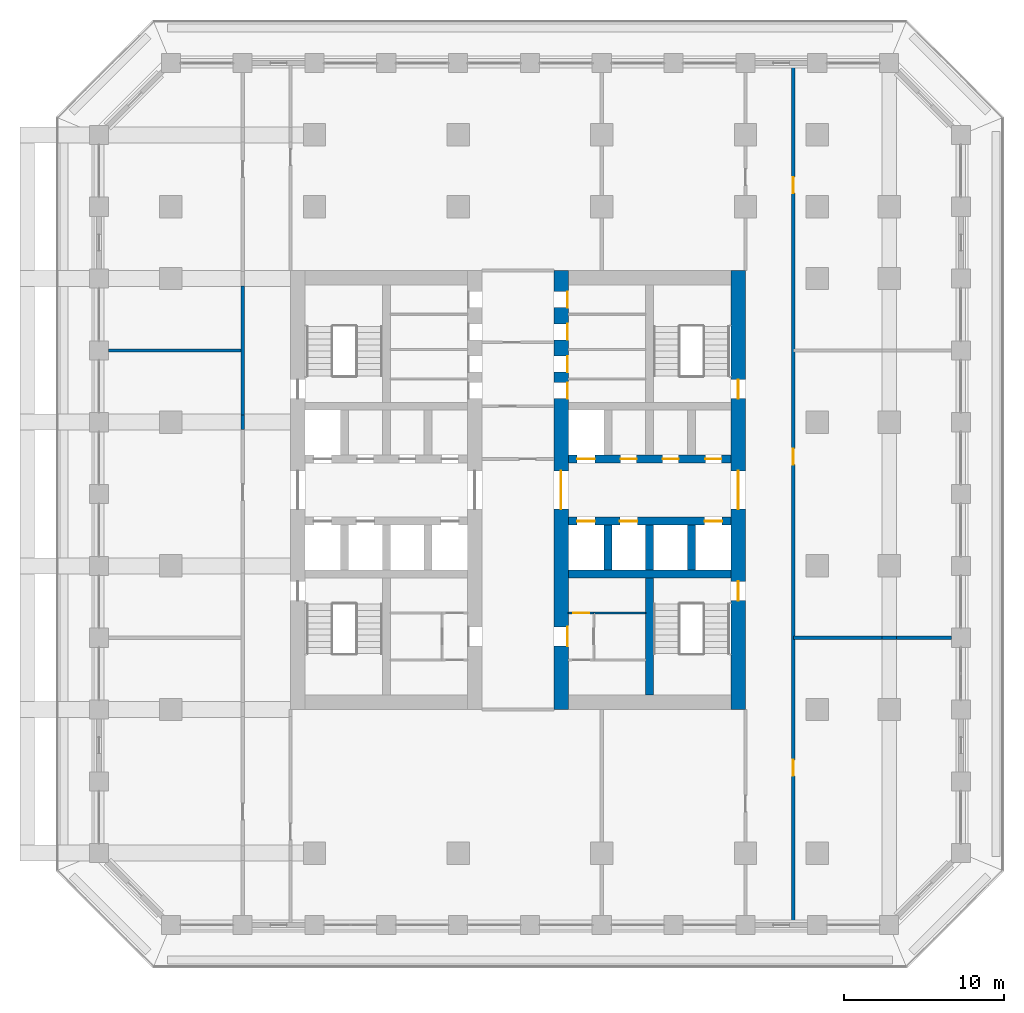
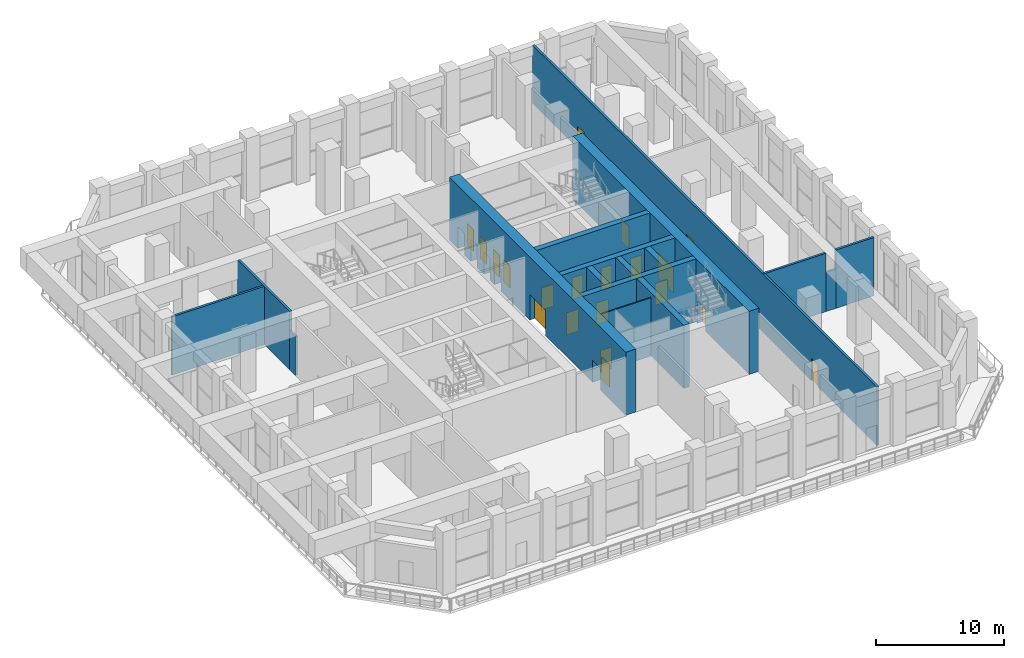
# One storey, part 14 of 24: 20 doors, 18 walls, 20 openings.
"""IFC4 building model written with IfcOpenShell, lengths in metres."""

from ifc_helpers import new_model, si_unit, direction, frame, frame_2d, origin, place, context, subcontext, project, spatial, rectangle, extrude, material, layer, layer_set, type_object, element, fill, save


model = new_model("IFC4")

# Units and contexts
model_context = context("Model", 3, precision=1e-05, world=origin(), true_north=direction((0.0, 1.0)))
body_context = subcontext(model_context, "Body", "Model", "MODEL_VIEW")
ifc_project = project(units=[si_unit("LENGTHUNIT", "METRE"), si_unit("AREAUNIT", "SQUARE_METRE"), si_unit("VOLUMEUNIT", "CUBIC_METRE"), si_unit("PLANEANGLEUNIT", "RADIAN"), si_unit("MASSUNIT", "GRAM", prefix="KILO")], contexts=[model_context])

# Site, building, storey
site_placement = place(None, origin())
site = spatial("IfcSite", under=ifc_project, at=site_placement, CompositionType="ELEMENT")
building_placement = place(site_placement, origin())
building = spatial("IfcBuilding", under=site, at=building_placement, Name="Corbel Stack Research Tower", CompositionType="ELEMENT")
storey_placement = place(building_placement, frame((0.0, 0.0, 110.699951171875)))
storey = spatial("IfcBuildingStorey", under=building, at=storey_placement, Name="L25", CompositionType="ELEMENT", Elevation=110.699951171875)

# Wall
ifc_material_1 = material(Name="Concrete C70/85", Category="concrete")
ifc_layer_1 = layer(ifc_material_1, 0.5)
ifc_layer_set_1 = layer_set([ifc_layer_1], Name="Concrete C70/85")
wall_type_1 = type_object("IfcWallType", Name="CW-500-70", PredefinedType="SHEAR", material=ifc_layer_set_1)
wall_1_placement = place(storey_placement, frame((6.89990234375, -0.5, 0.0), z_axis=(0.0, 0.0, 1.0), x_axis=(1.0, 0.0, 0.0)))
element("IfcWall", 1, at=wall_1_placement, inside=storey, type_object=wall_type_1, Name="East core wall, south row back L25", PredefinedType="SHEAR", context=body_context, shape_type="SweptSolid", body=[
    extrude(rectangle(XDim=10.2001953125, YDim=0.5, at=frame_2d((5.10009765625, 0.0))), origin(), (0.0, 0.0, 1.0), 6.0),
])

# Wall, openings, doors
wall_2_placement = place(storey_placement, frame((6.89990234375, 2.800048828125, 0.0), z_axis=(0.0, 0.0, 1.0), x_axis=(1.0, 0.0, 0.0)))
wall_2 = element("IfcWall", 2, at=wall_2_placement, inside=storey, type_object=wall_type_1, Name="East core wall, lobby south L25", PredefinedType="SHEAR", context=body_context, shape_type="SweptSolid", body=[
    extrude(rectangle(XDim=10.2001953125, YDim=0.5, at=frame_2d((5.10009765625, 0.0))), origin(), (0.0, 0.0, 1.0), 6.0),
])
opening_1_placement = place(wall_2_placement, frame((0.5625, 0.0, 0.0)))
opening_1 = element("IfcOpeningElement", 3, at=opening_1_placement, cuts=wall_2, Name="Opening LD-FS2", PredefinedType="OPENING", context=body_context, shape_type="SweptSolid", body=[
    extrude(rectangle(XDim=1.10009765625, YDim=2.10009765625, at=frame_2d((0.550048828125, 1.050048828125))), frame((0.0, 0.260009765625, 0.0), z_axis=(0.0, -1.0, 0.0), x_axis=(1.0, 0.0, 0.0)), (0.0, 0.0, 1.0), 0.52001953125),
])
opening_2_placement = place(wall_2_placement, frame((3.237548828125, 0.0, 0.0)))
opening_2 = element("IfcOpeningElement", 4, at=opening_2_placement, cuts=wall_2, Name="Opening LD-GL2", PredefinedType="OPENING", context=body_context, shape_type="SweptSolid", body=[
    extrude(rectangle(XDim=1.10009765625, YDim=2.10009765625, at=frame_2d((0.550048828125, 1.050048828125))), frame((0.0, 0.260009765625, 0.0), z_axis=(0.0, -1.0, 0.0), x_axis=(1.0, 0.0, 0.0)), (0.0, 0.0, 1.0), 0.52001953125),
])
opening_3_placement = place(wall_2_placement, frame((8.53759765625, 0.0, 0.0)))
opening_3 = element("IfcOpeningElement", 5, at=opening_3_placement, cuts=wall_2, Name="Opening LD-LR3", PredefinedType="OPENING", context=body_context, shape_type="SweptSolid", body=[
    extrude(rectangle(XDim=1.10009765625, YDim=2.10009765625, at=frame_2d((0.550048828125, 1.050048828125))), frame((0.0, 0.260009765625, 0.0), z_axis=(0.0, -1.0, 0.0), x_axis=(1.0, 0.0, 0.0)), (0.0, 0.0, 1.0), 0.52001953125),
])
ifc_material_2 = material(Name="Stainless steel landing door", Category="steel")
door_type_1 = type_object("IfcDoorType", Name="Lift landing door 1100 x 2100", OperationType="DOUBLE_DOOR_SLIDING", PredefinedType="DOOR", material=ifc_material_2)
door_1_placement = place(opening_1_placement, origin())
door_1 = element("IfcDoor", 6, at=door_1_placement, inside=storey, type_object=door_type_1, Name="Landing door FS2", OperationType="DOUBLE_DOOR_SLIDING", OverallHeight=2.10009765625, OverallWidth=1.10009765625, PredefinedType="DOOR", context=body_context, shape_type="SweptSolid", body=[
    extrude(rectangle(XDim=1.10009765625, YDim=2.10009765625, at=frame_2d((0.550048828125, 1.050048828125))), frame((0.0, 0.02490234375, 0.0), z_axis=(0.0, -1.0, 0.0), x_axis=(1.0, 0.0, 0.0)), (0.0, 0.0, 1.0), 0.050048828125),
])
fill(opening_1, door_1)
door_2_placement = place(opening_2_placement, origin())
door_2 = element("IfcDoor", 7, at=door_2_placement, inside=storey, type_object=door_type_1, Name="Landing door GL2", OperationType="DOUBLE_DOOR_SLIDING", OverallHeight=2.10009765625, OverallWidth=1.10009765625, PredefinedType="DOOR", context=body_context, shape_type="SweptSolid", body=[
    extrude(rectangle(XDim=1.10009765625, YDim=2.10009765625, at=frame_2d((0.550048828125, 1.050048828125))), frame((0.0, 0.02490234375, 0.0), z_axis=(0.0, -1.0, 0.0), x_axis=(1.0, 0.0, 0.0)), (0.0, 0.0, 1.0), 0.050048828125),
])
fill(opening_2, door_2)
door_3_placement = place(opening_3_placement, origin())
door_3 = element("IfcDoor", 8, at=door_3_placement, inside=storey, type_object=door_type_1, Name="Landing door LR3", OperationType="DOUBLE_DOOR_SLIDING", OverallHeight=2.10009765625, OverallWidth=1.10009765625, PredefinedType="DOOR", context=body_context, shape_type="SweptSolid", body=[
    extrude(rectangle(XDim=1.10009765625, YDim=2.10009765625, at=frame_2d((0.550048828125, 1.050048828125))), frame((0.0, 0.02490234375, 0.0), z_axis=(0.0, -1.0, 0.0), x_axis=(1.0, 0.0, 0.0)), (0.0, 0.0, 1.0), 0.050048828125),
])
fill(opening_3, door_3)

wall_3_placement = place(storey_placement, frame((6.89990234375, 6.699951171875, 0.0), z_axis=(0.0, 0.0, 1.0), x_axis=(1.0, 0.0, 0.0)))
wall_3 = element("IfcWall", 9, at=wall_3_placement, inside=storey, type_object=wall_type_1, Name="East core wall, lobby north L25", PredefinedType="SHEAR", context=body_context, shape_type="SweptSolid", body=[
    extrude(rectangle(XDim=10.2001953125, YDim=0.5, at=frame_2d((5.10009765625, 0.0))), origin(), (0.0, 0.0, 1.0), 6.0),
])
opening_4_placement = place(wall_3_placement, frame((0.5625, 0.0, 0.0)))
opening_4 = element("IfcOpeningElement", 10, at=opening_4_placement, cuts=wall_3, Name="Opening LD-LR4", PredefinedType="OPENING", context=body_context, shape_type="SweptSolid", body=[
    extrude(rectangle(XDim=1.10009765625, YDim=2.10009765625, at=frame_2d((0.550048828125, 1.050048828125))), frame((0.0, 0.260009765625, 0.0), z_axis=(0.0, -1.0, 0.0), x_axis=(1.0, 0.0, 0.0)), (0.0, 0.0, 1.0), 0.52001953125),
])
opening_5_placement = place(wall_3_placement, frame((3.28759765625, 0.0, 0.0)))
opening_5 = element("IfcOpeningElement", 11, at=opening_5_placement, cuts=wall_3, Name="Opening CR-E36-N2", PredefinedType="OPENING", context=body_context, shape_type="SweptSolid", body=[
    extrude(rectangle(XDim=1.0, YDim=2.10009765625, at=frame_2d((0.5, 1.050048828125))), frame((0.0, 0.260009765625, 0.0), z_axis=(0.0, -1.0, 0.0), x_axis=(1.0, 0.0, 0.0)), (0.0, 0.0, 1.0), 0.52001953125),
])
opening_6_placement = place(wall_3_placement, frame((5.91259765625, 0.0, 0.0)))
opening_6 = element("IfcOpeningElement", 12, at=opening_6_placement, cuts=wall_3, Name="Opening CR-E36-N3", PredefinedType="OPENING", context=body_context, shape_type="SweptSolid", body=[
    extrude(rectangle(XDim=1.0, YDim=2.10009765625, at=frame_2d((0.5, 1.050048828125))), frame((0.0, 0.260009765625, 0.0), z_axis=(0.0, -1.0, 0.0), x_axis=(1.0, 0.0, 0.0)), (0.0, 0.0, 1.0), 0.52001953125),
])
opening_7_placement = place(wall_3_placement, frame((8.58740234375, 0.0, 0.0)))
opening_7 = element("IfcOpeningElement", 13, at=opening_7_placement, cuts=wall_3, Name="Opening CR-E36-N4", PredefinedType="OPENING", context=body_context, shape_type="SweptSolid", body=[
    extrude(rectangle(XDim=1.0, YDim=2.10009765625, at=frame_2d((0.5, 1.050048828125))), frame((0.0, 0.260009765625, 0.0), z_axis=(0.0, -1.0, 0.0), x_axis=(1.0, 0.0, 0.0)), (0.0, 0.0, 1.0), 0.52001953125),
])
door_4_placement = place(opening_4_placement, origin())
door_4 = element("IfcDoor", 14, at=door_4_placement, inside=storey, type_object=door_type_1, Name="Landing door LR4", OperationType="DOUBLE_DOOR_SLIDING", OverallHeight=2.10009765625, OverallWidth=1.10009765625, PredefinedType="DOOR", context=body_context, shape_type="SweptSolid", body=[
    extrude(rectangle(XDim=1.10009765625, YDim=2.10009765625, at=frame_2d((0.550048828125, 1.050048828125))), frame((0.0, 0.02490234375, 0.0), z_axis=(0.0, -1.0, 0.0), x_axis=(1.0, 0.0, 0.0)), (0.0, 0.0, 1.0), 0.050048828125),
])
fill(opening_4, door_4)
ifc_material_3 = material(Name="Painted steel door", Category="steel")
door_type_2 = type_object("IfcDoorType", Name="Service door 1000 x 2100 FD60 left hand", OperationType="SINGLE_SWING_LEFT", PredefinedType="DOOR", material=ifc_material_3)
door_5_placement = place(opening_6_placement, origin())
door_5 = element("IfcDoor", 15, at=door_5_placement, inside=storey, type_object=door_type_2, Name="Telecom room door E core", OperationType="SINGLE_SWING_LEFT", OverallHeight=2.10009765625, OverallWidth=1.0, PredefinedType="DOOR", context=body_context, shape_type="SweptSolid", body=[
    extrude(rectangle(XDim=1.0, YDim=2.10009765625, at=frame_2d((0.5, 1.050048828125))), frame((0.0, 0.02490234375, 0.0), z_axis=(0.0, -1.0, 0.0), x_axis=(1.0, 0.0, 0.0)), (0.0, 0.0, 1.0), 0.050048828125),
])
fill(opening_6, door_5)
ifc_material_4 = material(Name="Painted steel door", Category="steel")
door_type_3 = type_object("IfcDoorType", Name="Service door 1000 x 2100 FD60 right hand", OperationType="SINGLE_SWING_RIGHT", PredefinedType="DOOR", material=ifc_material_4)
door_6_placement = place(opening_5_placement, origin())
door_6 = element("IfcDoor", 16, at=door_6_placement, inside=storey, type_object=door_type_3, Name="Mechanical room door E core", OperationType="SINGLE_SWING_RIGHT", OverallHeight=2.10009765625, OverallWidth=1.0, PredefinedType="DOOR", context=body_context, shape_type="SweptSolid", body=[
    extrude(rectangle(XDim=1.0, YDim=2.10009765625, at=frame_2d((0.5, 1.050048828125))), frame((0.0, 0.02490234375, 0.0), z_axis=(0.0, -1.0, 0.0), x_axis=(1.0, 0.0, 0.0)), (0.0, 0.0, 1.0), 0.050048828125),
])
fill(opening_5, door_6)
door_7_placement = place(opening_7_placement, origin())
door_7 = element("IfcDoor", 17, at=door_7_placement, inside=storey, type_object=door_type_3, Name="Copy and supply store door E core", OperationType="SINGLE_SWING_RIGHT", OverallHeight=2.10009765625, OverallWidth=1.0, PredefinedType="DOOR", context=body_context, shape_type="SweptSolid", body=[
    extrude(rectangle(XDim=1.0, YDim=2.10009765625, at=frame_2d((0.5, 1.050048828125))), frame((0.0, 0.02490234375, 0.0), z_axis=(0.0, -1.0, 0.0), x_axis=(1.0, 0.0, 0.0)), (0.0, 0.0, 1.0), 0.050048828125),
])
fill(opening_7, door_7)

# Walls
for number, where, z_axis, x_axis, name in (
    (18, (9.375, -0.25, 0.0), (0.0, 0.0, 1.0), (0.0, 1.0, 0.0), "East core wall, south shaft 1 L25"),
    (19, (12.0, -0.25, 0.0), (0.0, 0.0, 1.0), (0.0, 1.0, 0.0), "East core wall, south shaft 2 L25"),
    (20, (14.625, -0.25, 0.0), (0.0, 0.0, 1.0), (0.0, 1.0, 0.0), "East core wall, south shaft 3 L25"),
):
    element("IfcWall", number, at=place(storey_placement, frame(where, z_axis=z_axis, x_axis=x_axis)), inside=storey, type_object=wall_type_1, Name=name, PredefinedType="SHEAR", context=body_context, shape_type="SweptSolid", body=[
        extrude(rectangle(XDim=2.800048828125, YDim=0.5, at=frame_2d((1.39990234375, 0.0))), origin(), (0.0, 0.0, 1.0), 6.0),
    ])
wall_4_placement = place(storey_placement, frame((12.0, -8.10009765625, 0.0), z_axis=(0.0, 0.0, 1.0), x_axis=(0.0, 1.0, 0.0)))
element("IfcWall", 21, at=wall_4_placement, inside=storey, type_object=wall_type_1, Name="East core wall, south stair and WC L25", PredefinedType="SHEAR", context=body_context, shape_type="SweptSolid", body=[
    extrude(rectangle(XDim=7.35009765625, YDim=0.5, at=frame_2d((3.675048828125, 0.0))), origin(), (0.0, 0.0, 1.0), 6.0),
])

# Wall, openings, doors
ifc_material_5 = material(Name="Concrete C70/85", Category="concrete")
ifc_layer_2 = layer(ifc_material_5, 0.89990234375)
ifc_layer_set_2 = layer_set([ifc_layer_2], Name="Concrete C70/85")
wall_type_2 = type_object("IfcWallType", Name="CW-900-70", PredefinedType="SHEAR", material=ifc_layer_set_2)
wall_5_placement = place(storey_placement, frame((6.449951171875, -9.0, 0.0), z_axis=(0.0, 0.0, 1.0), x_axis=(0.0, 1.0, 0.0)))
wall_5 = element("IfcWall", 22, at=wall_5_placement, inside=storey, type_object=wall_type_2, Name="East core wall, west face L25", PredefinedType="SHEAR", context=body_context, shape_type="SweptSolid", body=[
    extrude(rectangle(XDim=27.5, YDim=0.89990234375, at=frame_2d((13.75, 0.0))), origin(), (0.0, 0.0, 1.0), 6.0),
])
opening_8_placement = place(wall_5_placement, frame((12.550048828125, 0.0, 0.0)))
opening_8 = element("IfcOpeningElement", 23, at=opening_8_placement, cuts=wall_5, Name="Opening CD-E-W", PredefinedType="OPENING", context=body_context, shape_type="SweptSolid", body=[
    extrude(rectangle(XDim=2.39990234375, YDim=2.39990234375, at=frame_2d((1.199951171875, 1.199951171875))), frame((0.0, 0.4599609375, 0.0), z_axis=(0.0, -1.0, 0.0), x_axis=(1.0, 0.0, 0.0)), (0.0, 0.0, 1.0), 0.919921875),
])
opening_9_placement = place(wall_5_placement, frame((3.97509765625, 0.0, 0.0)))
opening_9 = element("IfcOpeningElement", 24, at=opening_9_placement, cuts=wall_5, Name="Opening CR-E36-W1-1200", PredefinedType="OPENING", context=body_context, shape_type="SweptSolid", body=[
    extrude(rectangle(XDim=1.199951171875, YDim=2.10009765625, at=frame_2d((0.60009765625, 1.050048828125))), frame((0.0, 0.4599609375, 0.0), z_axis=(0.0, -1.0, 0.0), x_axis=(1.0, 0.0, 0.0)), (0.0, 0.0, 1.0), 0.919921875),
])
opening_10_placement = place(wall_5_placement, frame((19.485107421875, 0.0, 0.0)))
opening_10 = element("IfcOpeningElement", 25, at=opening_10_placement, cuts=wall_5, Name="Opening CR-E36-R1-1000", PredefinedType="OPENING", context=body_context, shape_type="SweptSolid", body=[
    extrude(rectangle(XDim=1.0, YDim=2.10009765625, at=frame_2d((0.5, 1.050048828125))), frame((0.0, 0.4599609375, 0.0), z_axis=(0.0, -1.0, 0.0), x_axis=(1.0, 0.0, 0.0)), (0.0, 0.0, 1.0), 0.919921875),
])
opening_11_placement = place(wall_5_placement, frame((21.138916015625, 0.0, 0.0)))
opening_11 = element("IfcOpeningElement", 26, at=opening_11_placement, cuts=wall_5, Name="Opening CR-E36-R2-1000", PredefinedType="OPENING", context=body_context, shape_type="SweptSolid", body=[
    extrude(rectangle(XDim=1.0, YDim=2.10009765625, at=frame_2d((0.5, 1.050048828125))), frame((0.0, 0.4599609375, 0.0), z_axis=(0.0, -1.0, 0.0), x_axis=(1.0, 0.0, 0.0)), (0.0, 0.0, 1.0), 0.919921875),
])
opening_12_placement = place(wall_5_placement, frame((23.159912109375, 0.0, 0.0)))
opening_12 = element("IfcOpeningElement", 27, at=opening_12_placement, cuts=wall_5, Name="Opening CR-E36-R3-1000", PredefinedType="OPENING", context=body_context, shape_type="SweptSolid", body=[
    extrude(rectangle(XDim=1.0, YDim=2.10009765625, at=frame_2d((0.5, 1.050048828125))), frame((0.0, 0.4599609375, 0.0), z_axis=(0.0, -1.0, 0.0), x_axis=(1.0, 0.0, 0.0)), (0.0, 0.0, 1.0), 0.919921875),
])
opening_13_placement = place(wall_5_placement, frame((25.18115234375, 0.0, 0.0)))
opening_13 = element("IfcOpeningElement", 28, at=opening_13_placement, cuts=wall_5, Name="Opening CR-E36-R4-1000", PredefinedType="OPENING", context=body_context, shape_type="SweptSolid", body=[
    extrude(rectangle(XDim=1.0, YDim=2.10009765625, at=frame_2d((0.5, 1.050048828125))), frame((0.0, 0.4599609375, 0.0), z_axis=(0.0, -1.0, 0.0), x_axis=(1.0, 0.0, 0.0)), (0.0, 0.0, 1.0), 0.919921875),
])
ifc_material_6 = material(Name="Painted steel fire door", Category="steel")
door_type_4 = type_object("IfcDoorType", Name="Lobby door pair 2400 x 2400 FD30S", OperationType="DOUBLE_DOOR_DOUBLE_SWING", PredefinedType="DOOR", material=ifc_material_6)
door_8_placement = place(opening_8_placement, origin())
door_8 = element("IfcDoor", 29, at=door_8_placement, inside=storey, type_object=door_type_4, Name="Lift lobby door E core W", OperationType="DOUBLE_DOOR_DOUBLE_SWING", OverallHeight=2.39990234375, OverallWidth=2.39990234375, PredefinedType="DOOR", context=body_context, shape_type="SweptSolid", body=[
    extrude(rectangle(XDim=2.39990234375, YDim=2.39990234375, at=frame_2d((1.199951171875, 1.199951171875))), frame((0.0, 0.02490234375, 0.0), z_axis=(0.0, -1.0, 0.0), x_axis=(1.0, 0.0, 0.0)), (0.0, 0.0, 1.0), 0.050048828125),
])
fill(opening_8, door_8)
ifc_material_7 = material(Name="Painted steel door", Category="steel")
door_type_5 = type_object("IfcDoorType", Name="Riser door 1000 x 2100 FD60 left hand", OperationType="SINGLE_SWING_LEFT", PredefinedType="DOOR", material=ifc_material_7)
door_9_placement = place(opening_11_placement, origin())
door_9 = element("IfcDoor", 30, at=door_9_placement, inside=storey, type_object=door_type_5, Name="Telecom room door E core", OperationType="SINGLE_SWING_LEFT", OverallHeight=2.10009765625, OverallWidth=1.0, PredefinedType="DOOR", context=body_context, shape_type="SweptSolid", body=[
    extrude(rectangle(XDim=1.0, YDim=2.10009765625, at=frame_2d((0.5, 1.050048828125))), frame((0.0, -0.375, 0.0), z_axis=(0.0, -1.0, 0.0), x_axis=(1.0, 0.0, 0.0)), (0.0, 0.0, 1.0), 0.050048828125),
])
fill(opening_11, door_9)
ifc_material_8 = material(Name="Painted steel door", Category="steel")
door_type_6 = type_object("IfcDoorType", Name="Riser door 1000 x 2100 FD60 right hand", OperationType="SINGLE_SWING_RIGHT", PredefinedType="DOOR", material=ifc_material_8)
door_10_placement = place(opening_10_placement, origin())
door_10 = element("IfcDoor", 31, at=door_10_placement, inside=storey, type_object=door_type_6, Name="Electrical riser door E core", OperationType="SINGLE_SWING_RIGHT", OverallHeight=2.10009765625, OverallWidth=1.0, PredefinedType="DOOR", context=body_context, shape_type="SweptSolid", body=[
    extrude(rectangle(XDim=1.0, YDim=2.10009765625, at=frame_2d((0.5, 1.050048828125))), frame((0.0, -0.375, 0.0), z_axis=(0.0, -1.0, 0.0), x_axis=(1.0, 0.0, 0.0)), (0.0, 0.0, 1.0), 0.050048828125),
])
fill(opening_10, door_10)
ifc_material_9 = material(Name="Painted steel door", Category="steel")
door_type_7 = type_object("IfcDoorType", Name="Service door 1000 x 2100 FD30 left hand", OperationType="SINGLE_SWING_LEFT", PredefinedType="DOOR", material=ifc_material_9)
door_11_placement = place(opening_13_placement, origin())
door_11 = element("IfcDoor", 32, at=door_11_placement, inside=storey, type_object=door_type_7, Name="Cleaner's store door E core", OperationType="SINGLE_SWING_LEFT", OverallHeight=2.10009765625, OverallWidth=1.0, PredefinedType="DOOR", context=body_context, shape_type="SweptSolid", body=[
    extrude(rectangle(XDim=1.0, YDim=2.10009765625, at=frame_2d((0.5, 1.050048828125))), frame((0.0, -0.375, 0.0), z_axis=(0.0, -1.0, 0.0), x_axis=(1.0, 0.0, 0.0)), (0.0, 0.0, 1.0), 0.050048828125),
])
fill(opening_13, door_11)
ifc_material_10 = material(Name="Painted steel door", Category="steel")
door_type_8 = type_object("IfcDoorType", Name="Service door 1000 x 2100 FD30 right hand", OperationType="SINGLE_SWING_RIGHT", PredefinedType="DOOR", material=ifc_material_10)
door_12_placement = place(opening_12_placement, origin())
door_12 = element("IfcDoor", 33, at=door_12_placement, inside=storey, type_object=door_type_8, Name="Pantry door E core", OperationType="SINGLE_SWING_RIGHT", OverallHeight=2.10009765625, OverallWidth=1.0, PredefinedType="DOOR", context=body_context, shape_type="SweptSolid", body=[
    extrude(rectangle(XDim=1.0, YDim=2.10009765625, at=frame_2d((0.5, 1.050048828125))), frame((0.0, -0.375, 0.0), z_axis=(0.0, -1.0, 0.0), x_axis=(1.0, 0.0, 0.0)), (0.0, 0.0, 1.0), 0.050048828125),
])
fill(opening_12, door_12)
ifc_material_11 = material(Name="Painted timber door", Category="wood")
door_type_9 = type_object("IfcDoorType", Name="WC door 1200 x 2100 right hand", OperationType="SINGLE_SWING_RIGHT", PredefinedType="DOOR", material=ifc_material_11)
door_13_placement = place(opening_9_placement, origin())
door_13 = element("IfcDoor", 34, at=door_13_placement, inside=storey, type_object=door_type_9, Name="WC lobby door E core", OperationType="SINGLE_SWING_RIGHT", OverallHeight=2.10009765625, OverallWidth=1.199951171875, PredefinedType="DOOR", context=body_context, shape_type="SweptSolid", body=[
    extrude(rectangle(XDim=1.199951171875, YDim=2.10009765625, at=frame_2d((0.60009765625, 1.050048828125))), frame((0.0, -0.375, 0.0), z_axis=(0.0, -1.0, 0.0), x_axis=(1.0, 0.0, 0.0)), (0.0, 0.0, 1.0), 0.050048828125),
])
fill(opening_9, door_13)

wall_6_placement = place(storey_placement, frame((17.550048828125, -9.0, 0.0), z_axis=(0.0, 0.0, 1.0), x_axis=(0.0, 1.0, 0.0)))
wall_6 = element("IfcWall", 35, at=wall_6_placement, inside=storey, type_object=wall_type_2, Name="East core wall, east face L25", PredefinedType="SHEAR", context=body_context, shape_type="SweptSolid", body=[
    extrude(rectangle(XDim=27.5, YDim=0.89990234375, at=frame_2d((13.75, 0.0))), origin(), (0.0, 0.0, 1.0), 6.0),
])
opening_14_placement = place(wall_6_placement, frame((12.550048828125, 0.0, 0.0)))
opening_14 = element("IfcOpeningElement", 36, at=opening_14_placement, cuts=wall_6, Name="Opening CD-E-E", PredefinedType="OPENING", context=body_context, shape_type="SweptSolid", body=[
    extrude(rectangle(XDim=2.39990234375, YDim=2.39990234375, at=frame_2d((1.199951171875, 1.199951171875))), frame((0.0, 0.4599609375, 0.0), z_axis=(0.0, -1.0, 0.0), x_axis=(1.0, 0.0, 0.0)), (0.0, 0.0, 1.0), 0.919921875),
])
opening_15_placement = place(wall_6_placement, frame((6.824951171875, 0.0, 0.0)))
opening_15 = element("IfcOpeningElement", 37, at=opening_15_placement, cuts=wall_6, Name="Opening SD-ST-E1", PredefinedType="OPENING", context=body_context, shape_type="SweptSolid", body=[
    extrude(rectangle(XDim=1.199951171875, YDim=2.10009765625, at=frame_2d((0.60009765625, 1.050048828125))), frame((0.0, 0.4599609375, 0.0), z_axis=(0.0, -1.0, 0.0), x_axis=(1.0, 0.0, 0.0)), (0.0, 0.0, 1.0), 0.919921875),
])
opening_16_placement = place(wall_6_placement, frame((19.47509765625, 0.0, 0.0)))
opening_16 = element("IfcOpeningElement", 38, at=opening_16_placement, cuts=wall_6, Name="Opening SD-ST-E2", PredefinedType="OPENING", context=body_context, shape_type="SweptSolid", body=[
    extrude(rectangle(XDim=1.199951171875, YDim=2.10009765625, at=frame_2d((0.60009765625, 1.050048828125))), frame((0.0, 0.4599609375, 0.0), z_axis=(0.0, -1.0, 0.0), x_axis=(1.0, 0.0, 0.0)), (0.0, 0.0, 1.0), 0.919921875),
])
door_14_placement = place(opening_14_placement, origin())
door_14 = element("IfcDoor", 39, at=door_14_placement, inside=storey, type_object=door_type_4, Name="Lift lobby door E core E", OperationType="DOUBLE_DOOR_DOUBLE_SWING", OverallHeight=2.39990234375, OverallWidth=2.39990234375, PredefinedType="DOOR", context=body_context, shape_type="SweptSolid", body=[
    extrude(rectangle(XDim=2.39990234375, YDim=2.39990234375, at=frame_2d((1.199951171875, 1.199951171875))), frame((0.0, 0.02490234375, 0.0), z_axis=(0.0, -1.0, 0.0), x_axis=(1.0, 0.0, 0.0)), (0.0, 0.0, 1.0), 0.050048828125),
])
fill(opening_14, door_14)
ifc_material_12 = material(Name="Painted steel fire door", Category="steel")
door_type_10 = type_object("IfcDoorType", Name="Stair door 1200 x 2100 FD90 right hand", OperationType="SINGLE_SWING_RIGHT", PredefinedType="DOOR", material=ifc_material_12)
door_15_placement = place(opening_15_placement, frame((1.199951171875, 0.0, 0.0), z_axis=(0.0, 0.0, 1.0), x_axis=(-1.0, 0.0, 0.0)))
door_15 = element("IfcDoor", 40, at=door_15_placement, inside=storey, type_object=door_type_10, Name="Stair door ST-E1", OperationType="SINGLE_SWING_LEFT", OverallHeight=2.10009765625, OverallWidth=1.199951171875, PredefinedType="DOOR", context=body_context, shape_type="SweptSolid", body=[
    extrude(rectangle(XDim=1.199951171875, YDim=2.10009765625, at=frame_2d((0.60009765625, 1.050048828125))), frame((0.0, 0.02490234375, 0.0), z_axis=(0.0, -1.0, 0.0), x_axis=(1.0, 0.0, 0.0)), (0.0, 0.0, 1.0), 0.050048828125),
])
fill(opening_15, door_15)
door_16_placement = place(opening_16_placement, frame((1.199951171875, 0.0, 0.0), z_axis=(0.0, 0.0, 1.0), x_axis=(-1.0, 0.0, 0.0)))
door_16 = element("IfcDoor", 41, at=door_16_placement, inside=storey, type_object=door_type_10, Name="Stair door ST-E2", OperationType="SINGLE_SWING_LEFT", OverallHeight=2.10009765625, OverallWidth=1.199951171875, PredefinedType="DOOR", context=body_context, shape_type="SweptSolid", body=[
    extrude(rectangle(XDim=1.199951171875, YDim=2.10009765625, at=frame_2d((0.60009765625, 1.050048828125))), frame((0.0, 0.02490234375, 0.0), z_axis=(0.0, -1.0, 0.0), x_axis=(1.0, 0.0, 0.0)), (0.0, 0.0, 1.0), 0.050048828125),
])
fill(opening_16, door_16)

# Wall, opening, door
ifc_material_13 = material(Name="Gypsum board")
ifc_layer_3 = layer(ifc_material_13, 0.10009765625)
ifc_layer_set_3 = layer_set([ifc_layer_3], Name="Gypsum board")
wall_type_3 = type_object("IfcWallType", Name="Core partition 100", PredefinedType="PARTITIONING", material=ifc_layer_set_3)
wall_7_placement = place(storey_placement, frame((6.89990234375, -2.955078125, 0.0), z_axis=(0.0, 0.0, 1.0), x_axis=(1.0, 0.0, 0.0)))
wall_7 = element("IfcWall", 42, at=wall_7_placement, inside=storey, type_object=wall_type_3, Name="Core partition E", PredefinedType="PARTITIONING", context=body_context, shape_type="SweptSolid", body=[
    extrude(rectangle(XDim=1.60009765625, YDim=0.10009765625, at=frame_2d((0.800048828125, 0.0))), origin(), (0.0, 0.0, 1.0), 5.550048828125),
])
opening_17_placement = place(wall_7_placement, frame((0.300048828125, 0.0, 0.0)))
opening_17 = element("IfcOpeningElement", 43, at=opening_17_placement, cuts=wall_7, Name="Opening CR-E36-W3-1000", PredefinedType="OPENING", context=body_context, shape_type="SweptSolid", body=[
    extrude(rectangle(XDim=1.0, YDim=2.10009765625, at=frame_2d((0.5, 1.050048828125))), frame((0.0, 0.06005859375, 0.0), z_axis=(0.0, -1.0, 0.0), x_axis=(1.0, 0.0, 0.0)), (0.0, 0.0, 1.0), 0.1201171875),
])
ifc_material_14 = material(Name="Painted timber door", Category="wood")
door_type_11 = type_object("IfcDoorType", Name="WC door 1000 x 2100 right hand", OperationType="SINGLE_SWING_RIGHT", PredefinedType="DOOR", material=ifc_material_14)
door_17_placement = place(opening_17_placement, origin())
door_17 = element("IfcDoor", 44, at=door_17_placement, inside=storey, type_object=door_type_11, Name="Women's WC door E core", OperationType="SINGLE_SWING_RIGHT", OverallHeight=2.10009765625, OverallWidth=1.0, PredefinedType="DOOR", context=body_context, shape_type="SweptSolid", body=[
    extrude(rectangle(XDim=1.0, YDim=2.10009765625, at=frame_2d((0.5, 1.050048828125))), frame((0.0, 0.02490234375, 0.0), z_axis=(0.0, -1.0, 0.0), x_axis=(1.0, 0.0, 0.0)), (0.0, 0.0, 1.0), 0.050048828125),
])
fill(opening_17, door_17)

# Walls
wall_8_placement = place(storey_placement, frame((8.5, -2.955078125, 0.0), z_axis=(0.0, 0.0, 1.0), x_axis=(1.0, 0.0, 0.0)))
element("IfcWall", 45, at=wall_8_placement, inside=storey, type_object=wall_type_3, Name="Core partition E", PredefinedType="PARTITIONING", context=body_context, shape_type="SweptSolid", body=[
    extrude(rectangle(XDim=3.25, YDim=0.10009765625, at=frame_2d((1.625, 0.0))), origin(), (0.0, 0.0, 1.0), 5.550048828125),
])
ifc_material_15 = material(Name="Fire-rated gypsum board partition on steel studs", Category="steel")
ifc_layer_4 = layer(ifc_material_15, 0.199951171875)
ifc_layer_set_4 = layer_set([ifc_layer_4], Name="Fire-rated gypsum board partition on steel studs")
wall_type_4 = type_object("IfcWallType", Name="Fire-rated partition 200 EI 60", PredefinedType="PARTITIONING", material=ifc_layer_set_4)
wall_9_placement = place(storey_placement, frame((-13.5, 8.550048828125, 0.0), z_axis=(0.0, 0.0, 1.0), x_axis=(0.0, 1.0, 0.0)))
element("IfcWall", 46, at=wall_9_placement, inside=storey, type_object=wall_type_4, Name="Partition L25-008", PredefinedType="PARTITIONING", context=body_context, shape_type="SweptSolid", body=[
    extrude(rectangle(XDim=0.89990234375, YDim=0.199951171875, at=frame_2d((0.449951171875, 0.0))), origin(), (0.0, 0.0, 1.0), 3.719970703125),
])
wall_10_placement = place(storey_placement, frame((-13.5, 9.449951171875, 0.0), z_axis=(0.0, 0.0, 1.0), x_axis=(0.0, 1.0, 0.0)))
element("IfcWall", 47, at=wall_10_placement, inside=storey, type_object=wall_type_4, Name="Partition L25-009", PredefinedType="PARTITIONING", context=body_context, shape_type="SweptSolid", body=[
    extrude(rectangle(XDim=8.10009765625, YDim=0.199951171875, at=frame_2d((4.050048828125, 0.0))), origin(), (0.0, 0.0, 1.0), 5.550048828125),
])

# Wall, openings, doors
wall_11_placement = place(storey_placement, frame((21.0, 31.35009765625, 0.0), z_axis=(0.0, 0.0, 1.0), x_axis=(0.0, -1.0, 0.0)))
wall_11 = element("IfcWall", 48, at=wall_11_placement, inside=storey, type_object=wall_type_4, Name="Partition L25-031", PredefinedType="PARTITIONING", context=body_context, shape_type="SweptSolid", body=[
    extrude(rectangle(XDim=53.7001953125, YDim=0.199951171875, at=frame_2d((26.85009765625, 0.0))), origin(), (0.0, 0.0, 1.0), 5.550048828125),
])
opening_18_placement = place(wall_11_placement, frame((43.5, 0.0, 0.0)))
opening_18 = element("IfcOpeningElement", 49, at=opening_18_placement, cuts=wall_11, Name="Opening B3AM-011", PredefinedType="OPENING", context=body_context, shape_type="SweptSolid", body=[
    extrude(rectangle(XDim=1.0, YDim=2.10009765625, at=frame_2d((0.5, 1.050048828125))), frame((0.0, 0.10986328125, 0.0), z_axis=(0.0, -1.0, 0.0), x_axis=(1.0, 0.0, 0.0)), (0.0, 0.0, 1.0), 0.219970703125),
])
opening_19_placement = place(wall_11_placement, frame((24.0, 0.0, 0.0)))
opening_19 = element("IfcOpeningElement", 50, at=opening_19_placement, cuts=wall_11, Name="Opening B3AM-012", PredefinedType="OPENING", context=body_context, shape_type="SweptSolid", body=[
    extrude(rectangle(XDim=1.0, YDim=2.10009765625, at=frame_2d((0.5, 1.050048828125))), frame((0.0, 0.10986328125, 0.0), z_axis=(0.0, -1.0, 0.0), x_axis=(1.0, 0.0, 0.0)), (0.0, 0.0, 1.0), 0.219970703125),
])
opening_20_placement = place(wall_11_placement, frame((7.0, 0.0, 0.0)))
opening_20 = element("IfcOpeningElement", 51, at=opening_20_placement, cuts=wall_11, Name="Opening B3AM-013", PredefinedType="OPENING", context=body_context, shape_type="SweptSolid", body=[
    extrude(rectangle(XDim=1.0, YDim=2.10009765625, at=frame_2d((0.5, 1.050048828125))), frame((0.0, 0.10986328125, 0.0), z_axis=(0.0, -1.0, 0.0), x_axis=(1.0, 0.0, 0.0)), (0.0, 0.0, 1.0), 0.219970703125),
])
ifc_material_16 = material(Name="Painted steel fire door", Category="steel")
door_type_12 = type_object("IfcDoorType", Name="Fire door FD30S 1000 x 2100", OperationType="NOTDEFINED", PredefinedType="DOOR", material=ifc_material_16)
door_18_placement = place(opening_18_placement, origin())
door_18 = element("IfcDoor", 52, at=door_18_placement, inside=storey, type_object=door_type_12, Name="Door B3AM-011", OperationType="SINGLE_SWING_RIGHT", OverallHeight=2.10009765625, OverallWidth=1.0, PredefinedType="DOOR", context=body_context, shape_type="SweptSolid", body=[
    extrude(rectangle(XDim=1.0, YDim=2.10009765625, at=frame_2d((0.5, 1.050048828125))), frame((0.0, 0.02490234375, 0.0), z_axis=(0.0, -1.0, 0.0), x_axis=(1.0, 0.0, 0.0)), (0.0, 0.0, 1.0), 0.050048828125),
])
fill(opening_18, door_18)
door_19_placement = place(opening_19_placement, origin())
door_19 = element("IfcDoor", 53, at=door_19_placement, inside=storey, type_object=door_type_12, Name="Door B3AM-012", OperationType="SINGLE_SWING_LEFT", OverallHeight=2.10009765625, OverallWidth=1.0, PredefinedType="DOOR", context=body_context, shape_type="SweptSolid", body=[
    extrude(rectangle(XDim=1.0, YDim=2.10009765625, at=frame_2d((0.5, 1.050048828125))), frame((0.0, 0.02490234375, 0.0), z_axis=(0.0, -1.0, 0.0), x_axis=(1.0, 0.0, 0.0)), (0.0, 0.0, 1.0), 0.050048828125),
])
fill(opening_19, door_19)
door_20_placement = place(opening_20_placement, origin())
door_20 = element("IfcDoor", 54, at=door_20_placement, inside=storey, type_object=door_type_12, Name="Door B3AM-013", OperationType="SINGLE_SWING_LEFT", OverallHeight=2.10009765625, OverallWidth=1.0, PredefinedType="DOOR", context=body_context, shape_type="SweptSolid", body=[
    extrude(rectangle(XDim=1.0, YDim=2.10009765625, at=frame_2d((0.5, 1.050048828125))), frame((0.0, 0.02490234375, 0.0), z_axis=(0.0, -1.0, 0.0), x_axis=(1.0, 0.0, 0.0)), (0.0, 0.0, 1.0), 0.050048828125),
])
fill(opening_20, door_20)

# Walls
wall_12_placement = place(storey_placement, frame((21.0, -4.5, 0.0), z_axis=(0.0, 0.0, 1.0), x_axis=(1.0, 0.0, 0.0)))
element("IfcWall", 55, at=wall_12_placement, inside=storey, type_object=wall_type_4, Name="Partition L25-034", PredefinedType="PARTITIONING", context=body_context, shape_type="SweptSolid", body=[
    extrude(rectangle(XDim=5.550048828125, YDim=0.199951171875, at=frame_2d((2.77490234375, 0.0))), origin(), (0.0, 0.0, 1.0), 5.550048828125),
])
wall_13_placement = place(storey_placement, frame((26.550048828125, -4.5, 0.0), z_axis=(0.0, 0.0, 1.0), x_axis=(1.0, 0.0, 0.0)))
element("IfcWall", 56, at=wall_13_placement, inside=storey, type_object=wall_type_4, Name="Partition L25-035", PredefinedType="PARTITIONING", context=body_context, shape_type="SweptSolid", body=[
    extrude(rectangle(XDim=0.89990234375, YDim=0.199951171875, at=frame_2d((0.449951171875, 0.0))), origin(), (0.0, 0.0, 1.0), 3.719970703125),
])
wall_14_placement = place(storey_placement, frame((27.449951171875, -4.5, 0.0), z_axis=(0.0, 0.0, 1.0), x_axis=(1.0, 0.0, 0.0)))
element("IfcWall", 57, at=wall_14_placement, inside=storey, type_object=wall_type_4, Name="Partition L25-036", PredefinedType="PARTITIONING", context=body_context, shape_type="SweptSolid", body=[
    extrude(rectangle(XDim=3.449951171875, YDim=0.199951171875, at=frame_2d((1.72509765625, 0.0))), origin(), (0.0, 0.0, 1.0), 5.550048828125),
])
wall_15_placement = place(storey_placement, frame((-21.89990234375, 13.5, 0.0), z_axis=(0.0, 0.0, 1.0), x_axis=(1.0, 0.0, 0.0)))
element("IfcWall", 58, at=wall_15_placement, inside=storey, type_object=wall_type_4, Name="Partition L25-039", PredefinedType="PARTITIONING", context=body_context, shape_type="SweptSolid", body=[
    extrude(rectangle(XDim=8.39990234375, YDim=0.199951171875, at=frame_2d((4.199951171875, 0.0))), origin(), (0.0, 0.0, 1.0), 5.550048828125),
])

save(model, "model.ifc")
